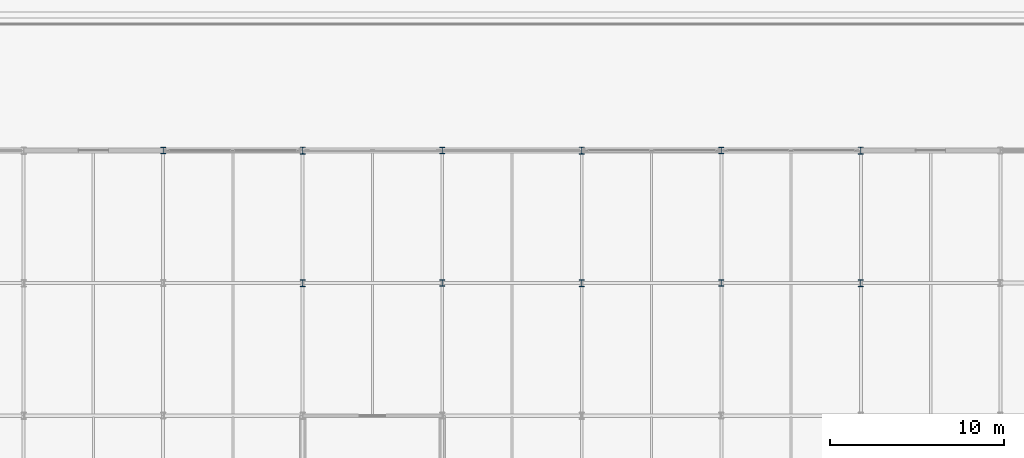
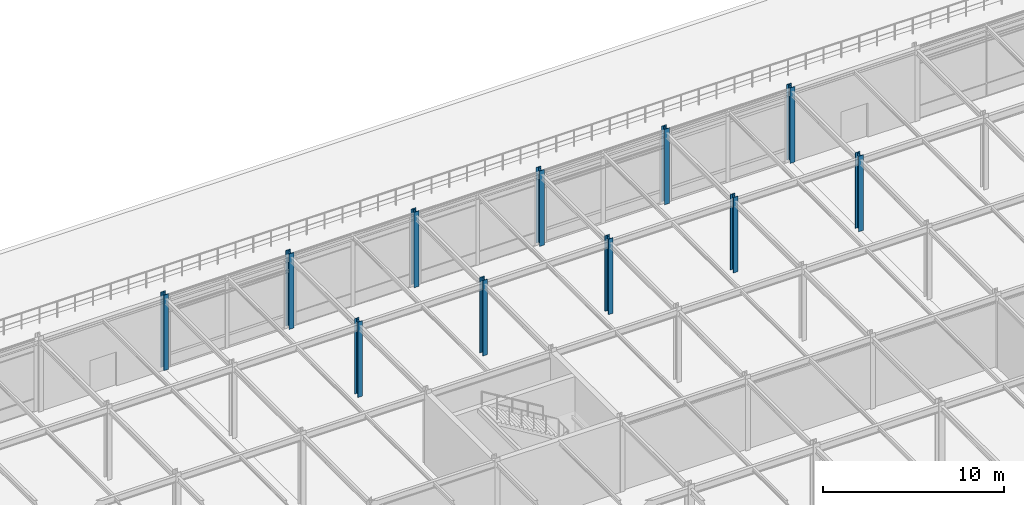
# One storey, part 10 of 79: 11 columns.
"""IFC4 building model written with IfcOpenShell, lengths in metres."""

from ifc_helpers import new_model, si_unit, direction, frame, origin, origin_2d, place, context, subcontext, project, spatial, i_section, extrude, material, material_profile, profile_set, type_object, element, save


model = new_model("IFC4")

# Units and contexts
model_context = context("Model", 3, precision=1e-05, world=origin(), true_north=direction((0.0, 1.0)))
body_context = subcontext(model_context, "Body", "Model", "MODEL_VIEW")
ifc_project = project(units=[si_unit("LENGTHUNIT", "METRE"), si_unit("AREAUNIT", "SQUARE_METRE"), si_unit("VOLUMEUNIT", "CUBIC_METRE"), si_unit("PLANEANGLEUNIT", "RADIAN"), si_unit("MASSUNIT", "GRAM", prefix="KILO")], contexts=[model_context])

# Site, building, storey
site_placement = place(None, origin())
site = spatial("IfcSite", under=ifc_project, at=site_placement, CompositionType="ELEMENT")
building_placement = place(site_placement, origin())
building = spatial("IfcBuilding", under=site, at=building_placement, Name="Shalkamar Park Central Library", CompositionType="ELEMENT")
storey_placement = place(building_placement, frame((0.0, 0.0, 10.5)))
storey = spatial("IfcBuildingStorey", under=building, at=storey_placement, Name="L03", CompositionType="ELEMENT", Elevation=10.5)

# Columns
ifc_material = material(Name="Steel S355", Category="steel")
ifc_material_profile_1 = material_profile(ifc_material, i_section(OverallWidth=0.300048828125, OverallDepth=0.360107421875, WebThickness=0.012451171875, FlangeThickness=0.0224609375, FilletRadius=0.027099609375, at=origin_2d()), Name="HEB 360")
ifc_profile_set_1 = profile_set([ifc_material_profile_1], Name="Steel S355")
column_type_1 = type_object("IfcColumnType", Name="Column Steel HEB360", PredefinedType="COLUMN", material=ifc_profile_set_1)
for number, where, z_axis, x_axis, name in (
    (1, (189.0, 323.60009765625, 0.0), (0.0, 0.0, 1.0), (1.0, 0.0, 0.0), "Column 10/M (L03)"),
    (2, (205.0, 316.0, 0.0), (0.0, 0.0, 1.0), (1.0, 0.0, 0.0), "Column 12/L (L03)"),
    (3, (205.0, 323.60009765625, 0.0), (0.0, 0.0, 1.0), (1.0, 0.0, 0.0), "Column 12/M (L03)"),
    (4, (221.0, 316.0, 0.0), (0.0, 0.0, 1.0), (1.0, 0.0, 0.0), "Column 14/L (L03)"),
    (5, (221.0, 323.60009765625, 0.0), (0.0, 0.0, 1.0), (1.0, 0.0, 0.0), "Column 14/M (L03)"),
):
    element("IfcColumn", number, at=place(storey_placement, frame(where, z_axis=z_axis, x_axis=x_axis)), inside=storey, type_object=column_type_1, Name=name, PredefinedType="COLUMN", context=body_context, shape_type="SweptSolid", body=[
        extrude(i_section(OverallWidth=0.300048828125, OverallDepth=0.360107421875, WebThickness=0.012451171875, FlangeThickness=0.0224609375, FilletRadius=0.027099609375, at=origin_2d()), origin(), (0.0, 0.0, 1.0), 5.10009765625),
    ])
ifc_material_profile_2 = material_profile(ifc_material, i_section(OverallWidth=0.300048828125, OverallDepth=0.39990234375, WebThickness=0.013427734375, FlangeThickness=0.02392578125, FilletRadius=0.027099609375, at=origin_2d()), Name="HEB 400")
ifc_profile_set_2 = profile_set([ifc_material_profile_2], Name="Steel S355")
column_type_2 = type_object("IfcColumnType", Name="Column Steel HEB400", PredefinedType="COLUMN", material=ifc_profile_set_2)
for number, where, z_axis, x_axis, name in (
    (6, (197.0, 316.0, 0.0), (0.0, 0.0, 1.0), (1.0, 0.0, 0.0), "Column 11/L (L03)"),
    (7, (197.0, 323.60009765625, 0.0), (0.0, 0.0, 1.0), (1.0, 0.0, 0.0), "Column 11/M (L03)"),
    (8, (213.0, 316.0, 0.0), (0.0, 0.0, 1.0), (1.0, 0.0, 0.0), "Column 13/L (L03)"),
    (9, (213.0, 323.60009765625, 0.0), (0.0, 0.0, 1.0), (1.0, 0.0, 0.0), "Column 13/M (L03)"),
    (10, (229.0, 316.0, 0.0), (0.0, 0.0, 1.0), (1.0, 0.0, 0.0), "Column 15/L (L03)"),
    (11, (229.0, 323.60009765625, 0.0), (0.0, 0.0, 1.0), (1.0, 0.0, 0.0), "Column 15/M (L03)"),
):
    element("IfcColumn", number, at=place(storey_placement, frame(where, z_axis=z_axis, x_axis=x_axis)), inside=storey, type_object=column_type_2, Name=name, PredefinedType="COLUMN", context=body_context, shape_type="SweptSolid", body=[
        extrude(i_section(OverallWidth=0.300048828125, OverallDepth=0.39990234375, WebThickness=0.013427734375, FlangeThickness=0.02392578125, FilletRadius=0.027099609375, at=origin_2d()), origin(), (0.0, 0.0, 1.0), 5.10009765625),
    ])

save(model, "model.ifc")
